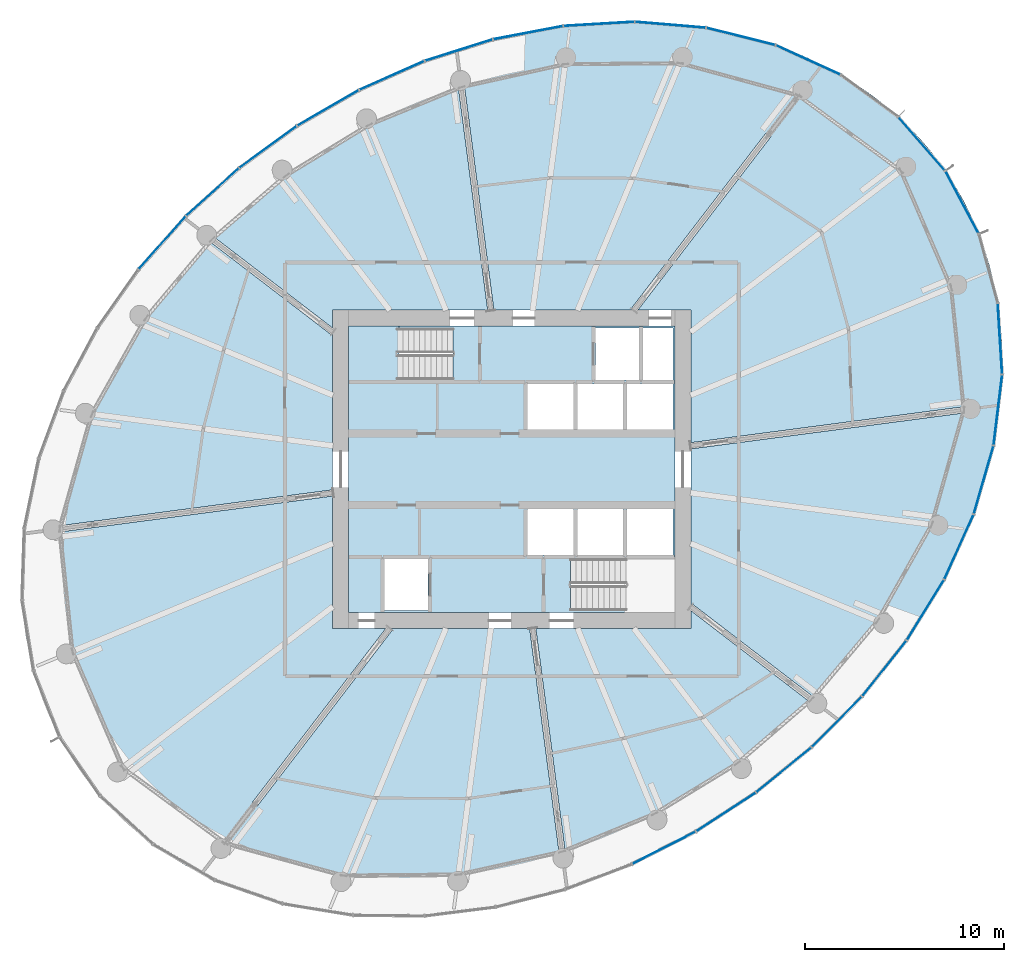
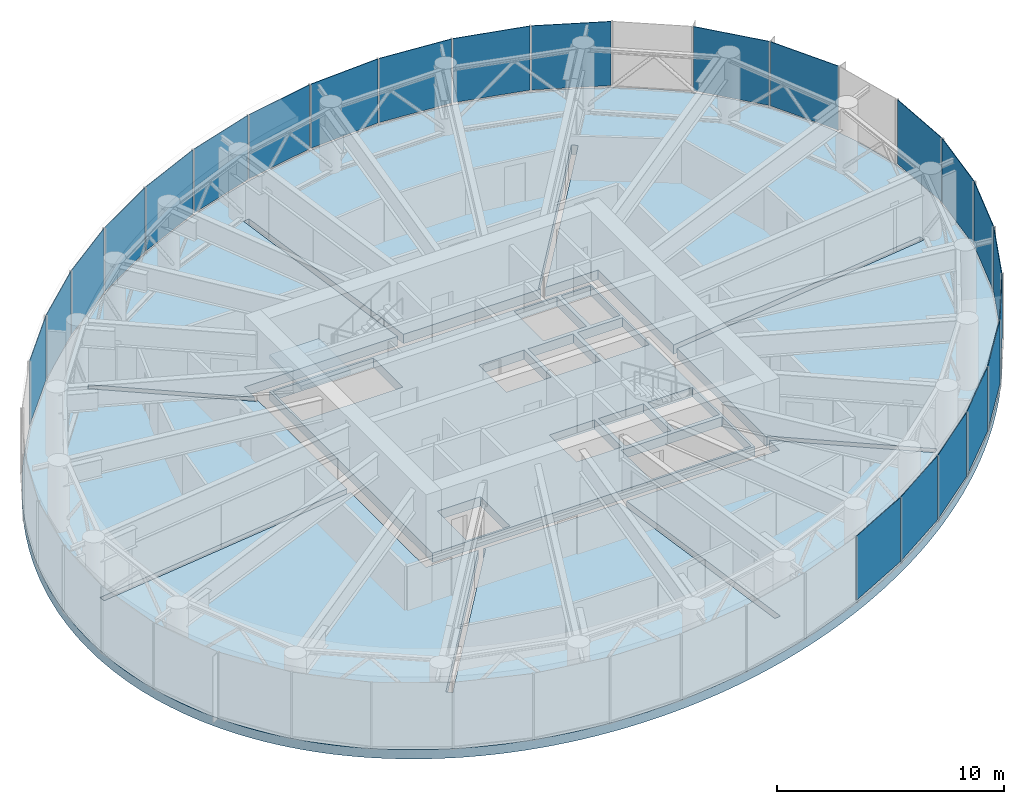
# One storey, part 12 of 25: 23 plates, 3 slabs, 7 elements without a shape of their own.
"""IFC4 building model written with IfcOpenShell, lengths in metres."""

import ifcopenshell
import ifcopenshell.guid

model = None  # the IFC model being written
_history = None  # IfcOwnerHistory: only IFC2X3 demands one
_inside = {}  # id of a spatial element -> (the spatial element, [elements in it])
_under = {}  # id of a project, library or spatial element -> (it, [spatial elements below it])
_declared = {}  # id of a project -> (the project, [libraries it declares])
_typed = {}  # id of a type object -> (the type object, [elements of that type])
_made_of = {}  # id of a material, layer set ... -> (it, [elements and type objects made of it])


def new_model(schema):
    """Start an empty IFC model of exactly this schema.

    Asked for "IFC4X3", IfcOpenShell would pick the latest addendum, in which some entities
    have other attributes; the version numbers below select the first issue.
    IFC2X3 requires an IfcOwnerHistory on every rooted entity: one is made here for all.
    """
    global model, _history
    if schema == "IFC4X3":
        model = ifcopenshell.file(schema_version=(4, 3, 0, 0))
    else:
        model = ifcopenshell.file(schema=schema)
    _inside.clear()
    _under.clear()
    _declared.clear()
    _typed.clear()
    _made_of.clear()
    _history = None
    if model.schema == "IFC2X3":
        org = make("IfcOrganization", Name="unknown")
        user = make(
            "IfcPersonAndOrganization",
            ThePerson=make("IfcPerson", FamilyName="unknown"),
            TheOrganization=org,
        )
        app = make(
            "IfcApplication",
            ApplicationDeveloper=org,
            Version="unknown",
            ApplicationFullName="unknown",
            ApplicationIdentifier="unknown",
        )
        _history = make(
            "IfcOwnerHistory",
            OwningUser=user,
            OwningApplication=app,
            ChangeAction="ADDED",
            CreationDate=0,
        )
    return model


def make(cls, **values):
    """One entity of the class cls with the attributes given. An attribute that is None is left unset."""
    return model.create_entity(
        cls, **{name: value for name, value in values.items() if value is not None}
    )


def rooted(cls, **values):
    """An entity with a GlobalId (a new one), such as an element, a storey or a relation."""
    return make(cls, GlobalId=ifcopenshell.guid.new(), OwnerHistory=_history, **values)


def si_unit(unit_type, name, prefix=None):
    """IfcSIUnit, for example si_unit("LENGTHUNIT", "METRE", prefix="MILLI")."""
    return make("IfcSIUnit", UnitType=unit_type, Prefix=prefix, Name=name)


def assignment(units):
    """IfcUnitAssignment: the units of a project."""
    return None if units is None else make("IfcUnitAssignment", Units=units)


def point(xyz):
    """IfcCartesianPoint."""
    return None if xyz is None else make("IfcCartesianPoint", Coordinates=xyz)


def direction(xyz):
    """IfcDirection."""
    return None if xyz is None else make("IfcDirection", DirectionRatios=xyz)


def frame(location, z_axis=None, x_axis=None):
    """IfcAxis2Placement3D, a coordinate frame: its origin and axes. An axis left out is left unset."""
    return make(
        "IfcAxis2Placement3D",
        Location=point(location),
        Axis=direction(z_axis),
        RefDirection=direction(x_axis),
    )


def frame_2d(location, x_axis=None):
    """IfcAxis2Placement2D, a coordinate frame in the plane: its origin and x axis."""
    return make(
        "IfcAxis2Placement2D", Location=point(location), RefDirection=direction(x_axis)
    )


def origin():
    """The frame at (0, 0, 0) with its axes left unset."""
    return frame((0.0, 0.0, 0.0))


def origin_2d():
    """The frame at (0, 0) in the plane with its x axis left unset."""
    return frame_2d((0.0, 0.0))


def place(relative_to, where):
    """IfcLocalPlacement: puts the frame where relative to a parent placement (None: the world)."""
    return make(
        "IfcLocalPlacement", PlacementRelTo=relative_to, RelativePlacement=where
    )


def context(
    kind, dimensions, precision=None, world=None, true_north=None, identifier=None
):
    """IfcGeometricRepresentationContext, for example the 3D "Model" context."""
    return make(
        "IfcGeometricRepresentationContext",
        ContextIdentifier=identifier,
        ContextType=kind,
        CoordinateSpaceDimension=dimensions,
        Precision=precision,
        WorldCoordinateSystem=world,
        TrueNorth=true_north,
    )


def subcontext(parent, identifier, kind, view, scale=None):
    """IfcGeometricRepresentationSubContext, for example "Body" below "Model"."""
    return make(
        "IfcGeometricRepresentationSubContext",
        ContextIdentifier=identifier,
        ContextType=kind,
        ParentContext=parent,
        TargetScale=scale,
        TargetView=view,
    )


def project(units=None, contexts=None):
    """IfcProject with its units and contexts."""
    return rooted(
        "IfcProject",
        Name="project",
        RepresentationContexts=contexts,
        UnitsInContext=assignment(units),
    )


def spatial(cls, under=None, at=None, **own):
    """A site, building, storey or space (cls), placed at a placement, below another one or the project."""
    s = rooted(cls, ObjectPlacement=at, **own)
    if under is not None:
        _under.setdefault(under.id(), (under, []))[1].append(s)
    return s


def point_list(points):
    """IfcCartesianPointList2D or 3D."""
    cls = (
        "IfcCartesianPointList2D" if len(points[0]) == 2 else "IfcCartesianPointList3D"
    )
    return make(cls, CoordList=points)


def line(*indices):
    """IfcLineIndex: a straight run through numbered points of an indexed curve."""
    return model.create_entity("IfcLineIndex", indices)


def indexed_curve(points, segments=None, self_intersect=None):
    """IfcIndexedPolyCurve: lines and arcs through numbered points (the first is 1)."""
    return make(
        "IfcIndexedPolyCurve",
        Points=point_list(points),
        Segments=segments,
        SelfIntersect=self_intersect,
    )


def profile(cls, at=None, kind="AREA", **sizes):
    """A parametric profile (cls). Its sizes go by their IFC names, for example OverallWidth=200.0."""
    return make(cls, ProfileType=kind, Position=at, **sizes)


def rectangle(**sizes):
    """IfcRectangleProfileDef."""
    return profile("IfcRectangleProfileDef", **sizes)


def outline(outer, holes=None, kind="AREA"):
    """IfcArbitraryClosedProfileDef: a profile drawn as a closed curve; with holes, ...WithVoids."""
    if holes is None:
        return make("IfcArbitraryClosedProfileDef", ProfileType=kind, OuterCurve=outer)
    return make(
        "IfcArbitraryProfileDefWithVoids",
        ProfileType=kind,
        OuterCurve=outer,
        InnerCurves=holes,
    )


def extrude(swept, where, along, depth):
    """IfcExtrudedAreaSolid: the profile swept, set in the frame where, extruded along a direction by depth."""
    return make(
        "IfcExtrudedAreaSolid",
        SweptArea=swept,
        Position=where,
        ExtrudedDirection=direction(along),
        Depth=depth,
    )


def shape(context_of_items, identifier, shape_type, items):
    """IfcShapeRepresentation: the items that make up one representation, for example the "Body"."""
    return make(
        "IfcShapeRepresentation",
        ContextOfItems=context_of_items,
        RepresentationIdentifier=identifier,
        RepresentationType=shape_type,
        Items=items,
    )


def source(mapping_origin, context_of_items, identifier, shape_type, items):
    """IfcRepresentationMap: a shape defined once, which mapped items show again and again."""
    return make(
        "IfcRepresentationMap",
        MappingOrigin=mapping_origin,
        MappedRepresentation=shape(context_of_items, identifier, shape_type, items),
    )


def transform(
    local_origin,
    x_axis=None,
    y_axis=None,
    z_axis=None,
    scale=None,
    scale2=None,
    scale3=None,
    uniform=True,
):
    """IfcCartesianTransformationOperator3D, or its non-uniform kind. x_axis, y_axis, z_axis: its Axis1, 2, 3."""
    if uniform:
        return make(
            "IfcCartesianTransformationOperator3D",
            Axis1=direction(x_axis),
            Axis2=direction(y_axis),
            LocalOrigin=point(local_origin),
            Scale=scale,
            Axis3=direction(z_axis),
        )
    return make(
        "IfcCartesianTransformationOperator3DnonUniform",
        Axis1=direction(x_axis),
        Axis2=direction(y_axis),
        LocalOrigin=point(local_origin),
        Scale=scale,
        Axis3=direction(z_axis),
        Scale2=scale2,
        Scale3=scale3,
    )


def mapped(mapping_source, mapping_target):
    """IfcMappedItem: shows the shape of a source again, moved by a transform."""
    return make(
        "IfcMappedItem", MappingSource=mapping_source, MappingTarget=mapping_target
    )


def material(Name=None, Category=None):
    """IfcMaterial."""
    return make("IfcMaterial", Name=Name, Category=Category)


def layer(
    of_material, thickness, ventilated=None, Name=None, Category=None, Priority=None
):
    """IfcMaterialLayer: one layer of a wall or slab, of a material (None: an air gap)."""
    return make(
        "IfcMaterialLayer",
        Material=of_material,
        LayerThickness=thickness,
        IsVentilated=ventilated,
        Name=Name,
        Category=Category,
        Priority=Priority,
    )


def layer_set(layers, Name=None):
    """IfcMaterialLayerSet."""
    return make("IfcMaterialLayerSet", MaterialLayers=layers, LayerSetName=Name)


def made_of(thing, what):
    """Note that an element or type object is made of a material, layer set ...; save() writes the relation."""
    if what is not None:
        _made_of.setdefault(what.id(), (what, []))[1].append(thing)
    return thing


def type_object(cls, material=None, **own):
    """A type object (cls), such as IfcWallType, which elements share."""
    return made_of(rooted(cls, **own), material)


def element(
    cls,
    number,
    at=None,
    inside=None,
    cuts=None,
    type_object=None,
    material=None,
    context=None,
    identifier="Body",
    shape_type=None,
    held_by="IfcProductDefinitionShape",
    body=None,
    shapes=None,
    **own,
):
    """One element of the class cls, such as IfcWall. Its Tag is "e" and its number.

    at: its placement. inside: the storey or other place that contains it. cuts: it is an
    opening in that element (IfcRelVoidsElement). A single representation is given by context,
    identifier, shape_type and body (its items); several are given by shapes. held_by: the class
    of the entity that holds the representations. save() writes the other relations.
    """
    e = rooted(cls, Tag="e%d" % number, ObjectPlacement=at, **own)
    if body is not None:
        shapes = [shape(context, identifier, shape_type, body)]
    if shapes is not None:
        e.Representation = make(held_by, Representations=shapes)
    if inside is not None:
        _inside.setdefault(inside.id(), (inside, []))[1].append(e)
    if cuts is not None:
        rooted(
            "IfcRelVoidsElement", RelatingBuildingElement=cuts, RelatedOpeningElement=e
        )
    if type_object is not None:
        _typed.setdefault(type_object.id(), (type_object, []))[1].append(e)
    return made_of(e, material)


def aggregate(whole, parts):
    """IfcRelAggregates: a whole, such as a stair, and the parts it consists of."""
    return rooted("IfcRelAggregates", RelatingObject=whole, RelatedObjects=parts)


def save(model, path):
    """Write the relations noted so far, then the file.

    IfcRelAggregates (storeys below a building ...), IfcRelContainedInSpatialStructure (elements
    in a storey), IfcRelDefinesByType, IfcRelAssociatesMaterial and IfcRelDeclares: one each for
    every whole, place, type object, material and project.
    """
    for whole, parts in _under.values():
        aggregate(whole, parts)
    for where, things in _inside.values():
        rooted(
            "IfcRelContainedInSpatialStructure",
            RelatedElements=things,
            RelatingStructure=where,
        )
    for kind, things in _typed.values():
        rooted("IfcRelDefinesByType", RelatedObjects=things, RelatingType=kind)
    for what, things in _made_of.values():
        rooted("IfcRelAssociatesMaterial", RelatedObjects=things, RelatingMaterial=what)
    for by, libraries in _declared.values():
        rooted("IfcRelDeclares", RelatingContext=by, RelatedDefinitions=libraries)
    model.write(path)


model = new_model("IFC4")

# Units and contexts
model_context = context("Model", 3, precision=1e-05, world=origin(), true_north=direction((0.0, 1.0)))
body_context = subcontext(model_context, "Body", "Model", "MODEL_VIEW")
ifc_project = project(units=[si_unit("LENGTHUNIT", "METRE"), si_unit("AREAUNIT", "SQUARE_METRE"), si_unit("VOLUMEUNIT", "CUBIC_METRE"), si_unit("PLANEANGLEUNIT", "RADIAN"), si_unit("MASSUNIT", "GRAM", prefix="KILO")], contexts=[model_context])

# Site, building, storey
site_placement = place(None, origin())
site = spatial("IfcSite", under=ifc_project, at=site_placement, CompositionType="ELEMENT")
building_placement = place(site_placement, origin())
building = spatial("IfcBuilding", under=site, at=building_placement, Name="Spindrift Exchange Tower", CompositionType="ELEMENT")
storey_placement = place(building_placement, frame((0.0, 0.0, 179.89990234375)))
storey = spatial("IfcBuildingStorey", under=building, at=storey_placement, Name="L43", CompositionType="ELEMENT", Elevation=179.89990234375)

# Slabs
ifc_material_1 = material(Name="Concrete 40 MPa", Category="concrete")
ifc_layer_1 = layer(ifc_material_1, 0.5)
ifc_layer_set_1 = layer_set([ifc_layer_1], Name="RC Floor Slab 500 Concrete 40 MPa")
slab_type_1 = type_object("IfcSlabType", Name="RC Floor Slab 500 Concrete 40 MPa", PredefinedType="FLOOR", material=ifc_layer_set_1)
slab_1_placement = place(storey_placement, frame((0.0, 0.0, -0.5)))
element("IfcSlab", 1, at=slab_1_placement, inside=storey, type_object=slab_type_1, Name="Floor slab L43", PredefinedType="FLOOR", context=body_context, shape_type="SweptSolid", body=[
    extrude(outline(indexed_curve([(73.79736328125, 63.002685546875), (73.560302734375, 63.337646484375), (73.314697265625, 63.666259765625), (73.060546875, 63.98828125), (72.7978515625, 64.303466796875), (72.52734375, 64.61181640625), (72.248779296875, 64.9130859375), (71.96240234375, 65.20703125), (71.668701171875, 65.493408203125), (71.367919921875, 65.7724609375), (71.06005859375, 66.043701171875), (70.745361328125, 66.306884765625), (70.42431640625, 66.562255859375), (70.096923828125, 66.809814453125), (69.4248046875, 67.2802734375), (68.730712890625, 67.7177734375), (68.376220703125, 67.92431640625), (67.6533203125, 68.312255859375), (66.91357421875, 68.667236328125), (66.537841796875, 68.832275390625), (65.7763671875, 69.137939453125), (65.002685546875, 69.4111328125), (64.61181640625, 69.53564453125), (63.82275390625, 69.760986328125), (63.025390625, 69.954833984375), (62.624267578125, 70.040283203125), (61.817138671875, 70.188720703125), (61.41162109375, 70.251708984375), (60.597900390625, 70.355712890625), (59.78076171875, 70.43115234375), (59.371337890625, 70.458251953125), (58.961669921875, 70.478515625), (58.141357421875, 70.49853515625), (57.73095703125, 70.49853515625), (56.91064453125, 70.47900390625), (56.09130859375, 70.433837890625), (55.682373046875, 70.40185546875), (54.865966796875, 70.319580078125), (54.458740234375, 70.269287109375), (54.05224609375, 70.213134765625), (53.2421875, 70.08349609375), (52.83837890625, 70.010009765625), (52.034423828125, 69.845947265625), (51.63427734375, 69.755859375), (50.83740234375, 69.55908203125), (50.44140625, 69.45263671875), (49.6533203125, 69.224365234375), (49.261474609375, 69.102294921875), (48.48291015625, 68.84326171875), (47.711181640625, 68.564453125), (47.327880859375, 68.41748046875), (46.94677734375, 68.26611328125), (46.18994140625, 67.94873046875), (45.814697265625, 67.782958984375), (45.0703125, 67.437744140625), (43.969970703125, 66.885986328125), (42.890380859375, 66.294921875), (41.8330078125, 65.6650390625), (41.140869140625, 65.224365234375), (40.45947265625, 64.767333984375), (39.7890625, 64.2939453125), (39.130126953125, 63.804931640625), (38.164306640625, 63.0419921875), (37.2265625, 62.244873046875), (36.318603515625, 61.4140625), (35.730224609375, 60.842041015625), (35.44140625, 60.550537109375), (34.874755859375, 59.95703125), (34.596923828125, 59.655029296875), (34.322998046875, 59.349609375), (33.787109375, 58.728515625), (33.52490234375, 58.41259765625), (33.01318359375, 57.771240234375), (32.763671875, 57.445556640625), (32.277587890625, 56.784423828125), (31.809326171875, 56.110595703125), (31.58203125, 55.76904296875), (31.141845703125, 55.07666015625), (30.92919921875, 54.725830078125), (30.5185546875, 54.015380859375), (30.321044921875, 53.65576171875), (30.128662109375, 53.293212890625), (29.76025390625, 52.560302734375), (29.584228515625, 52.189453125), (29.24951171875, 51.4404296875), (28.938232421875, 50.68115234375), (28.791748046875, 50.2978515625), (28.517578125, 49.5244140625), (28.39013671875, 49.134521484375), (28.1552734375, 48.348388671875), (28.048095703125, 47.952392578125), (27.8544921875, 47.15478515625), (27.7685546875, 46.753662109375), (27.618896484375, 45.947021484375), (27.555419921875, 45.54150390625), (27.451904296875, 44.7275390625), (27.380615234375, 43.91015625), (27.357421875, 43.50048828125), (27.336181640625, 42.680419921875), (27.349853515625, 41.85986328125), (27.369873046875, 41.4501953125), (27.437255859375, 40.63232421875), (27.54150390625, 39.818603515625), (27.607666015625, 39.41357421875), (27.7685546875, 38.60888671875), (27.968017578125, 37.81298828125), (28.082275390625, 37.419189453125), (28.2060546875, 37.028076171875), (28.33984375, 36.639892578125), (28.483154296875, 36.255615234375), (28.63623046875, 35.875), (28.798828125, 35.498291015625), (28.97119140625, 35.1259765625), (29.153076171875, 34.75830078125), (29.344482421875, 34.395263671875), (29.545166015625, 34.03759765625), (29.755126953125, 33.68505859375), (29.974365234375, 33.338134765625), (30.20263671875, 32.997314453125), (30.439697265625, 32.662353515625), (30.685302734375, 32.333740234375), (30.939453125, 32.01171875), (31.2021484375, 31.696533203125), (31.47265625, 31.38818359375), (31.751220703125, 31.0869140625), (32.03759765625, 30.79296875), (32.331298828125, 30.506591796875), (32.632080078125, 30.2275390625), (32.93994140625, 29.956298828125), (33.254638671875, 29.693115234375), (33.57568359375, 29.437744140625), (33.903076171875, 29.190185546875), (34.5751953125, 28.7197265625), (35.269287109375, 28.2822265625), (35.623779296875, 28.07568359375), (36.3466796875, 27.687744140625), (37.08642578125, 27.332763671875), (37.462158203125, 27.167724609375), (38.2236328125, 26.862060546875), (38.997314453125, 26.5888671875), (39.38818359375, 26.46435546875), (40.17724609375, 26.239013671875), (40.974609375, 26.045166015625), (41.375732421875, 25.959716796875), (42.182861328125, 25.811279296875), (42.58837890625, 25.748291015625), (43.402099609375, 25.644287109375), (44.21923828125, 25.56884765625), (44.628662109375, 25.541748046875), (45.038330078125, 25.521484375), (45.858642578125, 25.50146484375), (46.67919921875, 25.5078125), (47.08935546875, 25.52099609375), (47.90869140625, 25.566162109375), (48.317626953125, 25.59814453125), (49.134033203125, 25.680419921875), (49.541259765625, 25.730712890625), (49.94775390625, 25.786865234375), (50.7578125, 25.91650390625), (51.16162109375, 25.989990234375), (51.965576171875, 26.154052734375), (52.36572265625, 26.244140625), (53.16259765625, 26.44091796875), (53.55859375, 26.54736328125), (54.3466796875, 26.775634765625), (54.738525390625, 26.897705078125), (55.51708984375, 27.15673828125), (56.288818359375, 27.435546875), (56.672119140625, 27.58251953125), (57.05322265625, 27.73388671875), (57.81005859375, 28.05126953125), (58.185302734375, 28.217041015625), (58.9296875, 28.562255859375), (60.030029296875, 29.114013671875), (61.109619140625, 29.705078125), (62.1669921875, 30.3349609375), (62.859130859375, 30.775634765625), (63.54052734375, 31.232666015625), (64.2109375, 31.7060546875), (64.869873046875, 32.195068359375), (65.835693359375, 32.9580078125), (66.7734375, 33.755126953125), (67.681396484375, 34.5859375), (68.269775390625, 35.157958984375), (68.55859375, 35.449462890625), (69.125244140625, 36.04296875), (69.403076171875, 36.344970703125), (69.677001953125, 36.650390625), (70.212890625, 37.271484375), (70.47509765625, 37.58740234375), (70.98681640625, 38.228759765625), (71.236328125, 38.554443359375), (71.722412109375, 39.215576171875), (72.190673828125, 39.889404296875), (72.41796875, 40.23095703125), (72.858154296875, 40.92333984375), (73.07080078125, 41.274169921875), (73.4814453125, 41.984619140625), (73.678955078125, 42.34423828125), (73.871337890625, 42.706787109375), (74.23974609375, 43.439697265625), (74.415771484375, 43.810546875), (74.75048828125, 44.5595703125), (75.061767578125, 45.31884765625), (75.208251953125, 45.7021484375), (75.482421875, 46.4755859375), (75.60986328125, 46.865478515625), (75.8447265625, 47.651611328125), (75.951904296875, 48.047607421875), (76.1455078125, 48.84521484375), (76.2314453125, 49.246337890625), (76.381103515625, 50.052978515625), (76.444580078125, 50.45849609375), (76.548095703125, 51.2724609375), (76.619384765625, 52.08984375), (76.642578125, 52.49951171875), (76.663818359375, 53.319580078125), (76.650146484375, 54.14013671875), (76.630126953125, 54.5498046875), (76.562744140625, 55.36767578125), (76.45849609375, 56.181396484375), (76.392333984375, 56.58642578125), (76.2314453125, 57.39111328125), (76.031982421875, 58.18701171875), (75.917724609375, 58.580810546875), (75.7939453125, 58.971923828125), (75.66015625, 59.360107421875), (75.516845703125, 59.744384765625), (75.36376953125, 60.125), (75.201171875, 60.501708984375), (75.02880859375, 60.8740234375), (74.846923828125, 61.24169921875), (74.655517578125, 61.604736328125), (74.454833984375, 61.96240234375), (74.244873046875, 62.31494140625), (74.025634765625, 62.661865234375)], segments=[line(1, 2, 3, 4, 5, 6, 7, 8, 9, 10, 11, 12, 13, 14, 15, 16, 17, 18, 19, 20, 21, 22, 23, 24, 25, 26, 27, 28, 29, 30, 31, 32, 33, 34, 35, 36, 37, 38, 39, 40, 41, 42, 43, 44, 45, 46, 47, 48, 49, 50, 51, 52, 53, 54, 55, 56, 57, 58, 59, 60, 61, 62, 63, 64, 65, 66, 67, 68, 69, 70, 71, 72, 73, 74, 75, 76, 77, 78, 79, 80, 81, 82, 83, 84, 85, 86, 87, 88, 89, 90, 91, 92, 93, 94, 95, 96, 97, 98, 99, 100, 101, 102, 103, 104, 105, 106, 107, 108, 109, 110, 111, 112, 113, 114, 115, 116, 117, 118, 119, 120, 121, 122, 123, 124, 125, 126, 127, 128, 129, 130, 131, 132, 133, 134, 135, 136, 137, 138, 139, 140, 141, 142, 143, 144, 145, 146, 147, 148, 149, 150, 151, 152, 153, 154, 155, 156, 157, 158, 159, 160, 161, 162, 163, 164, 165, 166, 167, 168, 169, 170, 171, 172, 173, 174, 175, 176, 177, 178, 179, 180, 181, 182, 183, 184, 185, 186, 187, 188, 189, 190, 191, 192, 193, 194, 195, 196, 197, 198, 199, 200, 201, 202, 203, 204, 205, 206, 207, 208, 209, 210, 211, 212, 213, 214, 215, 216, 217, 218, 219, 220, 221, 222, 223, 224, 225, 226, 227, 228, 229, 230, 231, 232, 233, 234, 235, 236, 1)], self_intersect=False), holes=[indexed_curve([(67.049072265625, 36.64599609375), (66.862060546875, 36.402587890625), (61.0, 40.900634765625), (61.0, 40.0), (53.2080078125, 40.0), (54.66357421875, 28.944580078125), (54.359130859375, 28.904541015625), (52.8984375, 39.999755859375), (52.89990234375, 40.0), (45.894287109375, 40.0), (45.995361328125, 39.92236328125), (39.212890625, 31.08349609375), (38.969482421875, 31.2705078125), (45.66796875, 40.0), (43.0, 40.0), (43.0, 46.660400390625), (29.433837890625, 44.874267578125), (29.393798828125, 45.1787109375), (42.999755859375, 46.969970703125), (43.0, 46.968505859375), (43.0, 54.873046875), (42.92236328125, 54.77197265625), (36.950927734375, 59.35400390625), (37.137939453125, 59.597412109375), (43.0, 55.099365234375), (43.0, 56.0), (50.7919921875, 56.0), (49.33642578125, 67.055419921875), (49.640869140625, 67.095458984375), (51.1015625, 56.000244140625), (51.10009765625, 56.0), (58.105712890625, 56.0), (58.004638671875, 56.07763671875), (64.787109375, 64.91650390625), (65.030517578125, 64.7294921875), (58.33203125, 56.0), (61.0, 56.0), (61.0, 49.339599609375), (74.566162109375, 51.125732421875), (74.606201171875, 50.8212890625), (61.000244140625, 49.030029296875), (61.0, 49.031494140625), (61.0, 41.126953125), (61.07763671875, 41.22802734375)], segments=[line(1, 2, 3, 4, 5, 6, 7, 8, 9, 10, 11, 12, 13, 14, 15, 16, 17, 18, 19, 20, 21, 22, 23, 24, 25, 26, 27, 28, 29, 30, 31, 32, 33, 34, 35, 36, 37, 38, 39, 40, 41, 42, 43, 44, 1)], self_intersect=False)]), origin(), (0.0, 0.0, 1.0), 0.5),
])
ifc_material_2 = material(Name="Concrete 50 MPa", Category="concrete")
ifc_layer_2 = layer(ifc_material_2, 0.5)
ifc_layer_set_2 = layer_set([ifc_layer_2], Name="SL-CORE-FLOOR-500")
slab_type_2 = type_object("IfcSlabType", Name="SL-CORE-FLOOR-500", PredefinedType="FLOOR", material=ifc_layer_set_2)
slab_2_placement = place(storey_placement, frame((0.0, 0.0, -0.5)))
element("IfcSlab", 2, at=slab_2_placement, inside=storey, type_object=slab_type_2, Name="L43 Core floor slab", PredefinedType="FLOOR", context=body_context, shape_type="SweptSolid", body=[
    extrude(outline(indexed_curve([(43.800048828125, 40.800048828125), (43.800048828125, 55.199951171875), (60.199951171875, 55.199951171875), (60.199951171875, 40.800048828125)], segments=[line(1, 2, 3, 4, 1)], self_intersect=False), holes=[indexed_curve([(45.60009765625, 43.5), (45.60009765625, 40.89990234375), (47.800048828125, 40.89990234375), (47.800048828125, 43.5)], segments=[line(1, 2, 3, 4, 1)], self_intersect=False), indexed_curve([(52.800048828125, 46.10009765625), (52.800048828125, 43.699951171875), (55.10009765625, 43.699951171875), (55.10009765625, 46.10009765625)], segments=[line(1, 2, 3, 4, 1)], self_intersect=False), indexed_curve([(55.300048828125, 46.10009765625), (55.300048828125, 43.699951171875), (57.60009765625, 43.699951171875), (57.60009765625, 46.10009765625)], segments=[line(1, 2, 3, 4, 1)], self_intersect=False), indexed_curve([(55.10009765625, 52.300048828125), (52.800048828125, 52.300048828125), (52.800048828125, 49.89990234375), (55.10009765625, 49.89990234375)], segments=[line(1, 2, 3, 4, 1)], self_intersect=False), indexed_curve([(57.60009765625, 52.300048828125), (55.300048828125, 52.300048828125), (55.300048828125, 49.89990234375), (57.60009765625, 49.89990234375)], segments=[line(1, 2, 3, 4, 1)], self_intersect=False), indexed_curve([(43.906005859375, 52.506103515625), (49.0439453125, 52.506103515625), (49.0439453125, 55.093994140625), (43.906005859375, 55.093994140625)], segments=[line(1, 2, 3, 4, 1)], self_intersect=False), indexed_curve([(60.093994140625, 40.906005859375), (60.093994140625, 43.493896484375), (54.9560546875, 43.493896484375), (54.9560546875, 40.906005859375)], segments=[line(1, 2, 3, 4, 1)], self_intersect=False), indexed_curve([(60.10009765625, 46.10009765625), (57.800048828125, 46.10009765625), (57.800048828125, 43.699951171875), (60.10009765625, 43.699951171875)], segments=[line(1, 2, 3, 4, 1)], self_intersect=False), indexed_curve([(57.800048828125, 52.300048828125), (57.800048828125, 49.89990234375), (60.10009765625, 49.89990234375), (60.10009765625, 52.300048828125)], segments=[line(1, 2, 3, 4, 1)], self_intersect=False), indexed_curve([(58.39990234375, 55.10009765625), (56.199951171875, 55.10009765625), (56.199951171875, 52.5), (58.39990234375, 52.5)], segments=[line(1, 2, 3, 4, 1)], self_intersect=False), indexed_curve([(60.10009765625, 55.10009765625), (58.60009765625, 55.10009765625), (58.60009765625, 52.5), (60.10009765625, 52.5)], segments=[line(1, 2, 3, 4, 1)], self_intersect=False)]), origin(), (0.0, 0.0, 1.0), 0.5),
])

# Stair, slab
stair_type = type_object("IfcStairType", Name="ST-1250-R177", PredefinedType="HALF_TURN_STAIR", material=ifc_material_2)
stair_placement = place(storey_placement, origin())
stair = element("IfcStair", 3, at=stair_placement, inside=storey, type_object=stair_type, Name="L43 Exit stair ST1", PredefinedType="HALF_TURN_STAIR")
ifc_layer_3 = layer(ifc_material_2, 0.199951171875)
ifc_layer_set_3 = layer_set([ifc_layer_3], Name="SL-LANDING")
slab_type_3 = type_object("IfcSlabType", Name="SL-LANDING", PredefinedType="LANDING", material=ifc_layer_set_3)
slab_3_placement = place(storey_placement, frame((0.0, 0.0, 1.75)))
slab_3 = element("IfcSlab", 4, at=slab_3_placement, type_object=slab_type_3, Name="ST1 landing 1", PredefinedType="LANDING", context=body_context, shape_type="SweptSolid", body=[
    extrude(outline(indexed_curve([(46.330078125, 52.39990234375), (43.800048828125, 52.39990234375), (43.800048828125, 55.199951171875), (46.330078125, 55.199951171875)], segments=[line(1, 2, 3, 4, 1)], self_intersect=False)), origin(), (0.0, 0.0, 1.0), 0.2001953125),
])
aggregate(stair, [slab_3])

# Curtain wall, plates
ifc_material_3 = material(Name="Fritted laminated glass with bronze frame", Category="glass")
ifc_layer_4 = layer(ifc_material_3, 0.179931640625)
ifc_layer_set_4 = layer_set([ifc_layer_4], Name="ZONE 3 BRONZE FRITTED WALL")
curtain_wall_type = type_object("IfcCurtainWallType", Name="ZONE 3 BRONZE FRITTED WALL", PredefinedType="NOTDEFINED", material=ifc_layer_set_4)
curtain_wall_1_placement = place(storey_placement, origin())
curtain_wall_1 = element("IfcCurtainWall", 5, at=curtain_wall_1_placement, inside=storey, type_object=curtain_wall_type, Name="L43 Zone 3 Bronze Fritted Wall run 1", PredefinedType="NOTDEFINED")
ifc_material_4 = material(Name="Bronze fritted laminated glass, dense frit", Category="glass")
ifc_layer_5 = layer(ifc_material_4, 0.031982421875)
ifc_layer_set_5 = layer_set([ifc_layer_5], Name="ZONE 3 BRONZE FRITTED WALL PANEL DENSE FRIT 420")
plate_type_1 = type_object("IfcPlateType", Name="ZONE 3 BRONZE FRITTED WALL PANEL DENSE FRIT 420", PredefinedType="CURTAIN_PANEL", material=ifc_layer_set_5)
shared_shape_1 = source(origin(), body_context, "Body", "SweptSolid", [
    extrude(rectangle(XDim=3.524658203125, YDim=0.031982421875, at=origin_2d()), origin(), (0.0, 0.0, 1.0), 3.449951171875),
])
plate_1_placement = place(storey_placement, frame((72.615966796875, 64.357421875, 0.1298828125), z_axis=(0.0, 0.0, 1.0), x_axis=(-0.657310797795, 0.753619609022, 0.0)))
plate_1 = element("IfcPlate", 6, at=plate_1_placement, type_object=plate_type_1, Name="L43 panel CW-3.1", PredefinedType="CURTAIN_PANEL", context=body_context, shape_type="MappedRepresentation", body=[
    mapped(shared_shape_1, transform((0.0, 0.0, 0.0), scale=1.0)),
])
ifc_layer_6 = layer(ifc_material_4, 0.031982421875)
ifc_layer_set_6 = layer_set([ifc_layer_6], Name="ZONE 3 BRONZE FRITTED WALL PANEL DENSE FRIT 300")
plate_type_2 = type_object("IfcPlateType", Name="ZONE 3 BRONZE FRITTED WALL PANEL DENSE FRIT 300", PredefinedType="CURTAIN_PANEL", material=ifc_layer_set_6)
shared_shape_2 = source(origin(), body_context, "Body", "SweptSolid", [
    extrude(rectangle(XDim=3.52685546875, YDim=0.031982421875, at=origin_2d()), origin(), (0.0, 0.0, 1.0), 3.449951171875),
])
plate_2_placement = place(storey_placement, frame((66.8955078125, 68.57958984375, 0.1298828125), z_axis=(0.0, 0.0, 1.0), x_axis=(-0.910161650547, 0.41425326779, 0.0)))
plate_2 = element("IfcPlate", 7, at=plate_2_placement, type_object=plate_type_2, Name="L43 panel CW-3.3", PredefinedType="CURTAIN_PANEL", context=body_context, shape_type="MappedRepresentation", body=[
    mapped(shared_shape_2, transform((0.0, 0.0, 0.0), scale=1.0)),
])

# Curtain wall, plate
curtain_wall_2_placement = place(storey_placement, origin())
curtain_wall_2 = element("IfcCurtainWall", 8, at=curtain_wall_2_placement, inside=storey, type_object=curtain_wall_type, Name="L43 Zone 3 Bronze Fritted Wall run 7", PredefinedType="NOTDEFINED")
plate_3_placement = place(storey_placement, frame((76.5419921875, 54.564453125, 0.1298828125), z_axis=(0.0, 0.0, 1.0), x_axis=(-0.061942198836, 0.998079738299, 0.0)))
plate_3 = element("IfcPlate", 9, at=plate_3_placement, type_object=plate_type_2, Name="L43 panel CW-3.39", PredefinedType="CURTAIN_PANEL", context=body_context, shape_type="MappedRepresentation", body=[
    mapped(shared_shape_2, transform((0.0, 0.0, 0.0), scale=1.0)),
])

# Plate
shared_shape_3 = source(origin(), body_context, "Body", "SweptSolid", [
    extrude(rectangle(XDim=3.5283203125, YDim=0.031982421875, at=origin_2d()), origin(), (0.0, 0.0, 1.0), 3.449951171875),
])
plate_4_placement = place(storey_placement, frame((63.51318359375, 69.7607421875, 0.1298828125), z_axis=(0.0, 0.0, 1.0), x_axis=(-0.97018330764, 0.242372336659, 0.0)))
plate_4 = element("IfcPlate", 10, at=plate_4_placement, type_object=plate_type_2, Name="L43 panel CW-3.4", PredefinedType="CURTAIN_PANEL", context=body_context, shape_type="MappedRepresentation", body=[
    mapped(shared_shape_3, transform((0.0, 0.0, 0.0), scale=1.0)),
])

shared_shape_4 = source(origin(), body_context, "Body", "SweptSolid", [
    extrude(rectangle(XDim=3.529052734375, YDim=0.031982421875, at=origin_2d()), origin(), (0.0, 0.0, 1.0), 3.449951171875),
])
plate_5_placement = place(storey_placement, frame((59.974609375, 70.347412109375, 0.1298828125), z_axis=(0.0, 0.0, 1.0), x_axis=(-0.996487453492, 0.083742193859, 0.0)))
plate_5 = element("IfcPlate", 11, at=plate_5_placement, type_object=plate_type_1, Name="L43 panel CW-3.5", PredefinedType="CURTAIN_PANEL", context=body_context, shape_type="MappedRepresentation", body=[
    mapped(shared_shape_4, transform((0.0, 0.0, 0.0), scale=1.0)),
])

shared_shape_5 = source(origin(), body_context, "Body", "SweptSolid", [
    extrude(rectangle(XDim=3.52978515625, YDim=0.031982421875, at=origin_2d()), origin(), (0.0, 0.0, 1.0), 3.449951171875),
])
plate_6_placement = place(storey_placement, frame((56.384521484375, 70.39208984375, 0.1298828125), z_axis=(0.0, 0.0, 1.0), x_axis=(-0.998259439775, -0.058975341458, 0.0)))
plate_6 = element("IfcPlate", 12, at=plate_6_placement, type_object=plate_type_2, Name="L43 panel CW-3.6", PredefinedType="CURTAIN_PANEL", context=body_context, shape_type="MappedRepresentation", body=[
    mapped(shared_shape_5, transform((0.0, 0.0, 0.0), scale=1.0)),
])

aggregate(curtain_wall_1, [plate_1, plate_2, plate_4, plate_5, plate_6])

# Curtain wall, plate
curtain_wall_3_placement = place(storey_placement, origin())
curtain_wall_3 = element("IfcCurtainWall", 13, at=curtain_wall_3_placement, inside=storey, type_object=curtain_wall_type, Name="L43 Zone 3 Bronze Fritted Wall run 6", PredefinedType="NOTDEFINED")
plate_7_placement = place(storey_placement, frame((74.4814453125, 44.09912109375, 0.1298828125), z_axis=(0.0, 0.0, 1.0), x_axis=(0.411574804254, 0.911375981965, 0.0)))
plate_7 = element("IfcPlate", 14, at=plate_7_placement, type_object=plate_type_2, Name="L43 panel CW-3.36", PredefinedType="CURTAIN_PANEL", context=body_context, shape_type="MappedRepresentation", body=[
    mapped(shared_shape_5, transform((0.0, 0.0, 0.0), scale=1.0)),
])

# Curtain wall, plates
curtain_wall_4_placement = place(storey_placement, origin())
curtain_wall_4 = element("IfcCurtainWall", 15, at=curtain_wall_4_placement, inside=storey, type_object=curtain_wall_type, Name="L43 Zone 3 Bronze Fritted Wall run 2", PredefinedType="NOTDEFINED")
shared_shape_6 = source(origin(), body_context, "Body", "SweptSolid", [
    extrude(rectangle(XDim=3.530517578125, YDim=0.031982421875, at=origin_2d()), origin(), (0.0, 0.0, 1.0), 3.449951171875),
])
plate_8_placement = place(storey_placement, frame((52.819091796875, 69.949951171875, 0.1298828125), z_axis=(0.0, 0.0, 1.0), x_axis=(-0.982426950667, -0.186647492894, 0.0)))
plate_8 = element("IfcPlate", 16, at=plate_8_placement, type_object=plate_type_1, Name="L43 panel CW-3.7", PredefinedType="CURTAIN_PANEL", context=body_context, shape_type="MappedRepresentation", body=[
    mapped(shared_shape_6, transform((0.0, 0.0, 0.0), scale=1.0)),
])
plate_9_placement = place(storey_placement, frame((49.333984375, 69.0712890625, 0.1298828125), z_axis=(0.0, 0.0, 1.0), x_axis=(-0.953524142272, -0.301316627659, 0.0)))
plate_9 = element("IfcPlate", 17, at=plate_9_placement, type_object=plate_type_1, Name="L43 panel CW-3.8", PredefinedType="CURTAIN_PANEL", context=body_context, shape_type="MappedRepresentation", body=[
    mapped(shared_shape_6, transform((0.0, 0.0, 0.0), scale=1.0)),
])

# Plate
plate_10_placement = place(storey_placement, frame((70.730224609375, 37.9853515625, 0.1298828125), z_axis=(0.0, 0.0, 1.0), x_axis=(0.621947621196, 0.783058846121, 0.0)))
plate_10 = element("IfcPlate", 18, at=plate_10_placement, type_object=plate_type_1, Name="L43 panel CW-3.34", PredefinedType="CURTAIN_PANEL", context=body_context, shape_type="MappedRepresentation", body=[
    mapped(shared_shape_6, transform((0.0, 0.0, 0.0), scale=1.0)),
])

shared_shape_7 = source(origin(), body_context, "Body", "SweptSolid", [
    extrude(rectangle(XDim=3.53076171875, YDim=0.031982421875, at=origin_2d()), origin(), (0.0, 0.0, 1.0), 3.449951171875),
])
plate_11_placement = place(storey_placement, frame((45.9716796875, 67.799560546875, 0.1298828125), z_axis=(0.0, 0.0, 1.0), x_axis=(-0.914220010964, -0.405218177718, 0.0)))
plate_11 = element("IfcPlate", 19, at=plate_11_placement, type_object=plate_type_2, Name="L43 panel CW-3.9", PredefinedType="CURTAIN_PANEL", context=body_context, shape_type="MappedRepresentation", body=[
    mapped(shared_shape_7, transform((0.0, 0.0, 0.0), scale=1.0)),
])

ifc_layer_7 = layer(ifc_material_4, 0.031982421875)
ifc_layer_set_7 = layer_set([ifc_layer_7], Name="ZONE 3 BRONZE FRITTED WALL PANEL DENSE FRIT 180")
plate_type_3 = type_object("IfcPlateType", Name="ZONE 3 BRONZE FRITTED WALL PANEL DENSE FRIT 180", PredefinedType="CURTAIN_PANEL", material=ifc_layer_set_7)
shared_shape_8 = source(origin(), body_context, "Body", "SweptSolid", [
    extrude(rectangle(XDim=3.531005859375, YDim=0.031982421875, at=origin_2d()), origin(), (0.0, 0.0, 1.0), 3.449951171875),
])
plate_12_placement = place(storey_placement, frame((42.766845703125, 66.1689453125, 0.1298828125), z_axis=(0.0, 0.0, 1.0), x_axis=(-0.865809775156, -0.500373293897, 0.0)))
plate_12 = element("IfcPlate", 20, at=plate_12_placement, type_object=plate_type_3, Name="L43 panel CW-3.10", PredefinedType="CURTAIN_PANEL", context=body_context, shape_type="MappedRepresentation", body=[
    mapped(shared_shape_8, transform((0.0, 0.0, 0.0), scale=1.0)),
])

shared_shape_9 = source(origin(), body_context, "Body", "SweptSolid", [
    extrude(rectangle(XDim=3.531005859375, YDim=0.031982421875, at=origin_2d()), origin(), (0.0, 0.0, 1.0), 3.449951171875),
])
plate_13_placement = place(storey_placement, frame((39.751953125, 64.208740234375, 0.1298828125), z_axis=(0.0, 0.0, 1.0), x_axis=(-0.808604392004, -0.588352731983, 0.0)))
plate_13 = element("IfcPlate", 21, at=plate_13_placement, type_object=plate_type_1, Name="L43 panel CW-3.11", PredefinedType="CURTAIN_PANEL", context=body_context, shape_type="MappedRepresentation", body=[
    mapped(shared_shape_9, transform((0.0, 0.0, 0.0), scale=1.0)),
])

shared_shape_10 = source(origin(), body_context, "Body", "SweptSolid", [
    extrude(rectangle(XDim=3.53076171875, YDim=0.031982421875, at=origin_2d()), origin(), (0.0, 0.0, 1.0), 3.449951171875),
])
plate_14_placement = place(storey_placement, frame((36.960205078125, 61.942626953125, 0.1298828125), z_axis=(0.0, 0.0, 1.0), x_axis=(-0.742076462523, -0.670315242083, 0.0)))
plate_14 = element("IfcPlate", 22, at=plate_14_placement, type_object=plate_type_3, Name="L43 panel CW-3.12", PredefinedType="CURTAIN_PANEL", context=body_context, shape_type="MappedRepresentation", body=[
    mapped(shared_shape_10, transform((0.0, 0.0, 0.0), scale=1.0)),
])

aggregate(curtain_wall_4, [plate_8, plate_9, plate_11, plate_12, plate_13, plate_14])

# Curtain wall, plate
curtain_wall_5_placement = place(storey_placement, origin())
curtain_wall_5 = element("IfcCurtainWall", 23, at=curtain_wall_5_placement, inside=storey, type_object=curtain_wall_type, Name="L43 Zone 3 Bronze Fritted Wall run 3", PredefinedType="NOTDEFINED")
shared_shape_11 = source(origin(), body_context, "Body", "SweptSolid", [
    extrude(rectangle(XDim=3.53076171875, YDim=0.031982421875, at=origin_2d()), origin(), (0.0, 0.0, 1.0), 3.449951171875),
])
plate_15_placement = place(storey_placement, frame((34.427001953125, 59.39111328125, 0.1298828125), z_axis=(0.0, 0.0, 1.0), x_axis=(-0.665014007247, -0.746830884582, 0.0)))
plate_15 = element("IfcPlate", 24, at=plate_15_placement, type_object=plate_type_1, Name="L43 panel CW-3.13", PredefinedType="CURTAIN_PANEL", context=body_context, shape_type="MappedRepresentation", body=[
    mapped(shared_shape_11, transform((0.0, 0.0, 0.0), scale=1.0)),
])
aggregate(curtain_wall_5, [plate_15])

curtain_wall_6_placement = place(storey_placement, origin())
curtain_wall_6 = element("IfcCurtainWall", 25, at=curtain_wall_6_placement, inside=storey, type_object=curtain_wall_type, Name="L43 Zone 3 Bronze Fritted Wall run 5", PredefinedType="NOTDEFINED")
plate_16_placement = place(storey_placement, frame((59.652587890625, 28.972900390625, 0.1298828125), z_axis=(0.0, 0.0, 1.0), x_axis=(0.89110950843, 0.453788325088, 0.0)))
plate_16 = element("IfcPlate", 26, at=plate_16_placement, type_object=plate_type_1, Name="L43 panel CW-3.30", PredefinedType="CURTAIN_PANEL", context=body_context, shape_type="MappedRepresentation", body=[
    mapped(shared_shape_11, transform((0.0, 0.0, 0.0), scale=1.0)),
])
aggregate(curtain_wall_6, [plate_16])

# Plate
plate_17_placement = place(storey_placement, frame((68.34130859375, 35.298583984375, 0.1298828125), z_axis=(0.0, 0.0, 1.0), x_axis=(0.704979649653, 0.709227533007, 0.0)))
plate_17 = element("IfcPlate", 27, at=plate_17_placement, type_object=plate_type_1, Name="L43 panel CW-3.33", PredefinedType="CURTAIN_PANEL", context=body_context, shape_type="MappedRepresentation", body=[
    mapped(shared_shape_11, transform((0.0, 0.0, 0.0), scale=1.0)),
])

shared_shape_12 = source(origin(), body_context, "Body", "SweptSolid", [
    extrude(rectangle(XDim=3.531005859375, YDim=0.031982421875, at=origin_2d()), origin(), (0.0, 0.0, 1.0), 3.449951171875),
])
plate_18_placement = place(storey_placement, frame((62.766357421875, 30.771484375, 0.1298828125), z_axis=(0.0, 0.0, 1.0), x_axis=(0.838323438121, 0.545173195505, 0.0)))
plate_18 = element("IfcPlate", 28, at=plate_18_placement, type_object=plate_type_2, Name="L43 panel CW-3.31", PredefinedType="CURTAIN_PANEL", context=body_context, shape_type="MappedRepresentation", body=[
    mapped(shared_shape_12, transform((0.0, 0.0, 0.0), scale=1.0)),
])

plate_19_placement = place(storey_placement, frame((65.673828125, 32.88720703125, 0.1298828125), z_axis=(0.0, 0.0, 1.0), x_axis=(0.776561293012, 0.630041711473, 0.0)))
plate_19 = element("IfcPlate", 29, at=plate_19_placement, type_object=plate_type_2, Name="L43 panel CW-3.32", PredefinedType="CURTAIN_PANEL", context=body_context, shape_type="MappedRepresentation", body=[
    mapped(shared_shape_12, transform((0.0, 0.0, 0.0), scale=1.0)),
])

shared_shape_13 = source(origin(), body_context, "Body", "SweptSolid", [
    extrude(rectangle(XDim=3.5302734375, YDim=0.031982421875, at=origin_2d()), origin(), (0.0, 0.0, 1.0), 3.449951171875),
])
plate_20_placement = place(storey_placement, frame((72.79541015625, 40.927001953125, 0.1298828125), z_axis=(0.0, 0.0, 1.0), x_axis=(0.525161262506, 0.851002731114, 0.0)))
plate_20 = element("IfcPlate", 30, at=plate_20_placement, type_object=plate_type_3, Name="L43 panel CW-3.35", PredefinedType="CURTAIN_PANEL", context=body_context, shape_type="MappedRepresentation", body=[
    mapped(shared_shape_13, transform((0.0, 0.0, 0.0), scale=1.0)),
])

aggregate(curtain_wall_3, [plate_18, plate_19, plate_17, plate_10, plate_20, plate_7])

shared_shape_14 = source(origin(), body_context, "Body", "SweptSolid", [
    extrude(rectangle(XDim=3.529296875, YDim=0.031982421875, at=origin_2d()), origin(), (0.0, 0.0, 1.0), 3.449951171875),
])
plate_21_placement = place(storey_placement, frame((75.7216796875, 47.468505859375, 0.1298828125), z_axis=(0.0, 0.0, 1.0), x_axis=(0.277593003069, 0.960698768942, 0.0)))
plate_21 = element("IfcPlate", 31, at=plate_21_placement, type_object=plate_type_2, Name="L43 panel CW-3.37", PredefinedType="CURTAIN_PANEL", context=body_context, shape_type="MappedRepresentation", body=[
    mapped(shared_shape_14, transform((0.0, 0.0, 0.0), scale=1.0)),
])

shared_shape_15 = source(origin(), body_context, "Body", "SweptSolid", [
    extrude(rectangle(XDim=3.528076171875, YDim=0.031982421875, at=origin_2d()), origin(), (0.0, 0.0, 1.0), 3.449951171875),
])
plate_22_placement = place(storey_placement, frame((76.4375, 50.9833984375, 0.1298828125), z_axis=(0.0, 0.0, 1.0), x_axis=(0.120090056114, 0.992763002142, 0.0)))
plate_22 = element("IfcPlate", 32, at=plate_22_placement, type_object=plate_type_2, Name="L43 panel CW-3.38", PredefinedType="CURTAIN_PANEL", context=body_context, shape_type="MappedRepresentation", body=[
    mapped(shared_shape_15, transform((0.0, 0.0, 0.0), scale=1.0)),
])

shared_shape_16 = source(origin(), body_context, "Body", "SweptSolid", [
    extrude(rectangle(XDim=3.52490234375, YDim=0.031982421875, at=origin_2d()), origin(), (0.0, 0.0, 1.0), 3.449951171875),
])
plate_23_placement = place(storey_placement, frame((74.640625, 61.41552734375, 0.1298828125), z_axis=(0.0, 0.0, 1.0), x_axis=(-0.469208025022, 0.883087667933, 0.0)))
plate_23 = element("IfcPlate", 33, at=plate_23_placement, type_object=plate_type_3, Name="L43 panel CW-3.41", PredefinedType="CURTAIN_PANEL", context=body_context, shape_type="MappedRepresentation", body=[
    mapped(shared_shape_16, transform((0.0, 0.0, 0.0), scale=1.0)),
])

aggregate(curtain_wall_2, [plate_21, plate_22, plate_3, plate_23])

save(model, "model.ifc")
